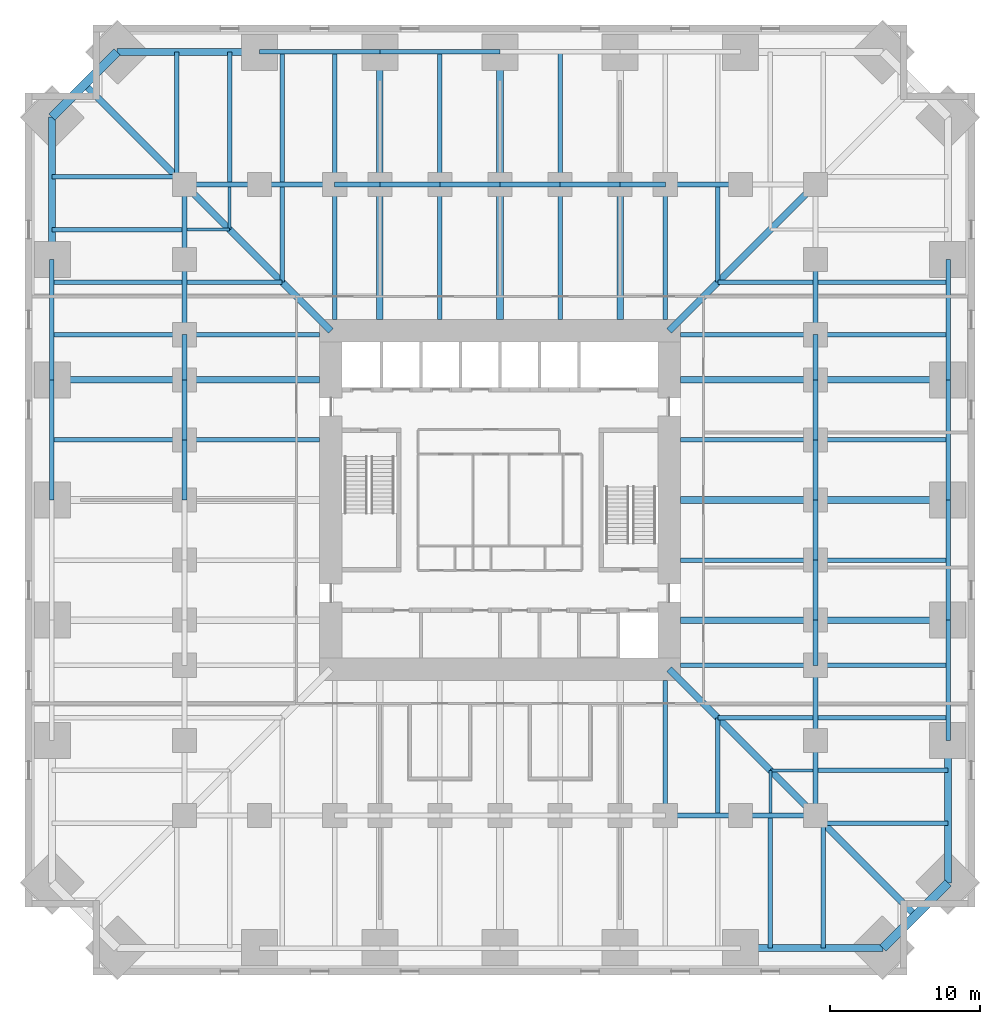
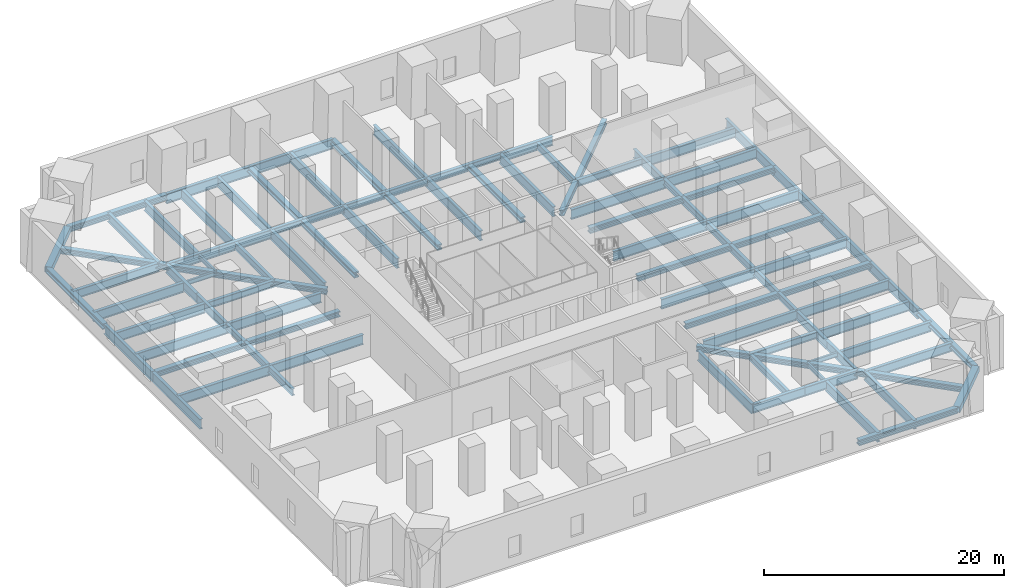
# One storey, part 2 of 8: 99 beams.
"""IFC4 building model written with IfcOpenShell, lengths in metres."""

from ifc_helpers import new_model, si_unit, direction, frame, origin, origin_2d, place, context, subcontext, project, spatial, hollow_rectangle, i_section, extrude, material, material_profile, profile_set, type_object, element, save


model = new_model("IFC4")

# Units and contexts
model_context = context("Model", 3, precision=1e-05, world=origin(), true_north=direction((0.0, 1.0)))
body_context = subcontext(model_context, "Body", "Model", "MODEL_VIEW")
ifc_project = project(units=[si_unit("LENGTHUNIT", "METRE"), si_unit("AREAUNIT", "SQUARE_METRE"), si_unit("VOLUMEUNIT", "CUBIC_METRE"), si_unit("PLANEANGLEUNIT", "RADIAN"), si_unit("MASSUNIT", "GRAM", prefix="KILO")], contexts=[model_context])

# Site, building, storey
site_placement = place(None, origin())
site = spatial("IfcSite", under=ifc_project, at=site_placement, CompositionType="ELEMENT")
building_placement = place(site_placement, origin())
building = spatial("IfcBuilding", under=site, at=building_placement, Name="Peilmerk Tower", CompositionType="ELEMENT")
storey_placement = place(building_placement, frame((0.0, 0.0, 26.5)))
storey = spatial("IfcBuildingStorey", under=building, at=storey_placement, Name="L05", CompositionType="ELEMENT", Elevation=26.5)

# Beams
ifc_material_1 = material(Name="Steel S355", Category="steel")
ifc_material_profile_1 = material_profile(ifc_material_1, i_section(OverallWidth=0.302001953125, OverallDepth=1.008056640625, WebThickness=0.02099609375, FlangeThickness=0.0400390625, at=origin_2d()), Name="HEM 1000")
ifc_profile_set_1 = profile_set([ifc_material_profile_1], Name="Steel S355")
beam_type_1 = type_object("IfcBeamType", Name="B1 HEM 1000 edge beam", PredefinedType="SPANDREL", material=ifc_profile_set_1)
for number, where, z_axis, x_axis, name in (
    (1, (0.0, 29.828125, -0.7041015625), (-1.0, 0.0, 0.0), (0.0, -1.0, 0.0), "Edge beam L05"),
    (2, (-8.0, 29.828125, -0.7041015625), (-1.0, 0.0, 0.0), (0.0, -1.0, 0.0), "Edge beam L05"),
    (3, (29.828125, -16.0, -0.7041015625), (0.0, 1.0, 0.0), (-1.0, 0.0, 0.0), "Edge beam L05"),
    (4, (29.828125, -8.0, -0.7041015625), (0.0, 1.0, 0.0), (-1.0, 0.0, 0.0), "Edge beam L05"),
    (5, (29.828125, 0.0, -0.7041015625), (0.0, 1.0, 0.0), (-1.0, 0.0, 0.0), "Edge beam L05"),
    (6, (29.828125, 8.0, -0.7041015625), (0.0, 1.0, 0.0), (-1.0, 0.0, 0.0), "Edge beam L05"),
    (7, (-29.828125, 16.0, -0.7041015625), (0.0, -1.0, 0.0), (1.0, 0.0, 0.0), "Edge beam L05"),
    (8, (-29.828125, 8.0, -0.7041015625), (0.0, -1.0, 0.0), (1.0, 0.0, 0.0), "Edge beam L05"),
):
    element("IfcBeam", number, at=place(storey_placement, frame(where, z_axis=z_axis, x_axis=x_axis)), inside=storey, type_object=beam_type_1, Name=name, PredefinedType="SPANDREL", context=body_context, shape_type="SweptSolid", body=[
        extrude(i_section(OverallWidth=0.302001953125, OverallDepth=1.008056640625, WebThickness=0.02099609375, FlangeThickness=0.0400390625, at=origin_2d()), origin(), (0.0, 0.0, 1.0), 8.0),
    ])
ifc_material_profile_2 = material_profile(ifc_material_1, i_section(OverallWidth=0.300048828125, OverallDepth=0.989990234375, WebThickness=0.0166015625, FlangeThickness=0.031005859375, at=origin_2d()), Name="HEA 1000")
ifc_profile_set_2 = profile_set([ifc_material_profile_2], Name="Steel S355")
beam_type_2 = type_object("IfcBeamType", Name="B14 HEA 1000 floor girder", PredefinedType="BEAM", material=ifc_profile_set_2)
for number, where, z_axis, x_axis, name in (
    (9, (21.15087890625, 14.5, -0.695068359375), (1.0, 0.0, 0.0), (0.0, 1.0, 0.0), "Floor beam L05"),
    (10, (21.15087890625, -14.5, -0.695068359375), (1.0, 0.0, 0.0), (0.0, 1.0, 0.0), "Floor beam L05"),
    (11, (18.0, -21.15087890625, -0.695068359375), (0.0, -1.0, 0.0), (1.0, 0.0, 0.0), "Floor beam L05"),
    (12, (21.15087890625, -18.0, -0.695068359375), (1.0, 0.0, 0.0), (0.0, 1.0, 0.0), "Floor beam L05"),
    (13, (-14.5, 21.15087890625, -0.695068359375), (0.0, 1.0, 0.0), (-1.0, 0.0, 0.0), "Floor beam L05"),
    (14, (-21.15087890625, 14.5, -0.695068359375), (-1.0, 0.0, 0.0), (0.0, -1.0, 0.0), "Floor beam L05"),
    (15, (-18.0, 21.15087890625, -0.695068359375), (0.0, 1.0, 0.0), (-1.0, 0.0, 0.0), "Floor beam L05"),
    (16, (-21.15087890625, 18.0, -0.695068359375), (-1.0, 0.0, 0.0), (0.0, -1.0, 0.0), "Floor beam L05"),
):
    element("IfcBeam", number, at=place(storey_placement, frame(where, z_axis=z_axis, x_axis=x_axis)), inside=storey, type_object=beam_type_2, Name=name, PredefinedType="BEAM", context=body_context, shape_type="SweptSolid", body=[
        extrude(i_section(OverallWidth=0.300048828125, OverallDepth=0.989990234375, WebThickness=0.0166015625, FlangeThickness=0.031005859375, at=origin_2d()), origin(), (0.0, 0.0, 1.0), 8.67724609375),
    ])
ifc_material_profile_3 = material_profile(ifc_material_1, i_section(OverallWidth=0.300048828125, OverallDepth=0.68994140625, WebThickness=0.014404296875, FlangeThickness=0.027099609375, at=origin_2d()), Name="HEA 700")
ifc_profile_set_3 = profile_set([ifc_material_profile_3], Name="Steel S355")
beam_type_3 = type_object("IfcBeamType", Name="B16 HEA 700 floor beam", PredefinedType="BEAM", material=ifc_profile_set_3)
for number, where, z_axis, x_axis, name in (
    (17, (14.5, 14.5, -0.544921875), (0.0, 1.0, 0.0), (-1.0, 0.0, 0.0), "Floor beam L05"),
    (18, (14.5, 14.5, -0.544921875), (1.0, 0.0, 0.0), (0.0, 1.0, 0.0), "Floor beam L05"),
    (19, (14.5, -14.5, -0.544921875), (0.0, -1.0, 0.0), (1.0, 0.0, 0.0), "Floor beam L05"),
    (20, (14.5, -14.5, -0.544921875), (1.0, 0.0, 0.0), (0.0, 1.0, 0.0), "Floor beam L05"),
    (21, (-14.5, 14.5, -0.544921875), (0.0, 1.0, 0.0), (-1.0, 0.0, 0.0), "Floor beam L05"),
    (22, (-14.5, 14.5, -0.544921875), (-1.0, 0.0, 0.0), (0.0, -1.0, 0.0), "Floor beam L05"),
):
    element("IfcBeam", number, at=place(storey_placement, frame(where, z_axis=z_axis, x_axis=x_axis)), inside=storey, type_object=beam_type_3, Name=name, PredefinedType="BEAM", context=body_context, shape_type="SweptSolid", body=[
        extrude(i_section(OverallWidth=0.300048828125, OverallDepth=0.68994140625, WebThickness=0.014404296875, FlangeThickness=0.027099609375, at=origin_2d()), origin(), (0.0, 0.0, 1.0), 6.34912109375),
    ])
ifc_material_2 = material(Name="Steel S460", Category="steel")
ifc_material_profile_4 = material_profile(ifc_material_2, i_section(OverallWidth=0.4541015625, OverallDepth=0.569091796875, WebThickness=0.077880859375, FlangeThickness=0.125, at=origin_2d()), Name="HD 400x1086")
ifc_profile_set_4 = profile_set([ifc_material_profile_4], Name="Steel S460")
beam_type_4 = type_object("IfcBeamType", Name="B17 HD 400x1086 edge beam", PredefinedType="SPANDREL", material=ifc_profile_set_4)
for number, where, z_axis, x_axis, name in (
    (23, (-16.0, 29.828125, -0.484619140625), (-1.0, 0.0, 0.0), (0.0, -1.0, 0.0), "Edge beam L05"),
    (24, (29.828125, -25.478271484375, -0.484619140625), (0.0, 1.0, 0.0), (-1.0, 0.0, 0.0), "Edge beam L05"),
    (25, (16.0, -29.828125, -0.484619140625), (1.0, 0.0, 0.0), (0.0, 1.0, 0.0), "Edge beam L05"),
    (26, (-29.828125, 25.478271484375, -0.484619140625), (0.0, -1.0, 0.0), (1.0, 0.0, 0.0), "Edge beam L05"),
):
    element("IfcBeam", number, at=place(storey_placement, frame(where, z_axis=z_axis, x_axis=x_axis)), inside=storey, type_object=beam_type_4, Name=name, PredefinedType="SPANDREL", context=body_context, shape_type="SweptSolid", body=[
        extrude(i_section(OverallWidth=0.4541015625, OverallDepth=0.569091796875, WebThickness=0.077880859375, FlangeThickness=0.125, at=origin_2d()), origin(), (0.0, 0.0, 1.0), 9.478271484375),
    ])
ifc_material_profile_5 = material_profile(ifc_material_1, i_section(OverallWidth=0.302001953125, OverallDepth=0.909912109375, WebThickness=0.02099609375, FlangeThickness=0.0400390625, at=origin_2d()), Name="HEM 900")
ifc_profile_set_5 = profile_set([ifc_material_profile_5], Name="Steel S355")
beam_type_5 = type_object("IfcBeamType", Name="B18 HEM 900 ring girder", PredefinedType="BEAM", material=ifc_profile_set_5)
for number, where, z_axis, x_axis, name in (
    (27, (16.0, 21.0, -0.655029296875), (-1.0, 0.0, 0.0), (0.0, -1.0, 0.0), "Ring girder L05"),
    (28, (-11.0, 21.0, -0.655029296875), (-1.0, 0.0, 0.0), (0.0, -1.0, 0.0), "Ring girder L05"),
    (29, (-16.0, 21.0, -0.655029296875), (-1.0, 0.0, 0.0), (0.0, -1.0, 0.0), "Ring girder L05"),
    (30, (21.0, -21.0, -0.655029296875), (0.0, 1.0, 0.0), (-1.0, 0.0, 0.0), "Ring girder L05"),
    (31, (21.0, -16.0, -0.655029296875), (0.0, 1.0, 0.0), (-1.0, 0.0, 0.0), "Ring girder L05"),
    (32, (21.0, 11.0, -0.655029296875), (0.0, 1.0, 0.0), (-1.0, 0.0, 0.0), "Ring girder L05"),
    (33, (11.0, -21.0, -0.655029296875), (1.0, 0.0, 0.0), (0.0, 1.0, 0.0), "Ring girder L05"),
    (34, (16.0, -21.0, -0.655029296875), (1.0, 0.0, 0.0), (0.0, 1.0, 0.0), "Ring girder L05"),
    (35, (-21.0, 21.0, -0.655029296875), (0.0, -1.0, 0.0), (1.0, 0.0, 0.0), "Ring girder L05"),
    (36, (-21.0, 16.0, -0.655029296875), (0.0, -1.0, 0.0), (1.0, 0.0, 0.0), "Ring girder L05"),
):
    element("IfcBeam", number, at=place(storey_placement, frame(where, z_axis=z_axis, x_axis=x_axis)), inside=storey, type_object=beam_type_5, Name=name, PredefinedType="BEAM", context=body_context, shape_type="SweptSolid", body=[
        extrude(i_section(OverallWidth=0.302001953125, OverallDepth=0.909912109375, WebThickness=0.02099609375, FlangeThickness=0.0400390625, at=origin_2d()), origin(), (0.0, 0.0, 1.0), 5.0),
    ])
ifc_material_profile_6 = material_profile(ifc_material_1, i_section(OverallWidth=0.303955078125, OverallDepth=0.716064453125, WebThickness=0.02099609375, FlangeThickness=0.0400390625, at=origin_2d()), Name="HEM 700")
ifc_profile_set_6 = profile_set([ifc_material_profile_6], Name="Steel S355")
beam_type_6 = type_object("IfcBeamType", Name="B19 HEM 700 ring girder", PredefinedType="BEAM", material=ifc_profile_set_6)
for number, where, z_axis, x_axis, name in (
    (37, (8.0, 21.0, -0.55810546875), (-1.0, 0.0, 0.0), (0.0, -1.0, 0.0), "Ring girder L05"),
    (38, (4.0, 21.0, -0.55810546875), (-1.0, 0.0, 0.0), (0.0, -1.0, 0.0), "Ring girder L05"),
    (39, (0.0, 21.0, -0.55810546875), (-1.0, 0.0, 0.0), (0.0, -1.0, 0.0), "Ring girder L05"),
    (40, (-4.0, 21.0, -0.55810546875), (-1.0, 0.0, 0.0), (0.0, -1.0, 0.0), "Ring girder L05"),
    (41, (21.0, -8.0, -0.55810546875), (0.0, 1.0, 0.0), (-1.0, 0.0, 0.0), "Ring girder L05"),
    (42, (21.0, -4.0, -0.55810546875), (0.0, 1.0, 0.0), (-1.0, 0.0, 0.0), "Ring girder L05"),
    (43, (21.0, 0.0, -0.55810546875), (0.0, 1.0, 0.0), (-1.0, 0.0, 0.0), "Ring girder L05"),
    (44, (21.0, 4.0, -0.55810546875), (0.0, 1.0, 0.0), (-1.0, 0.0, 0.0), "Ring girder L05"),
    (45, (-21.0, 8.0, -0.55810546875), (0.0, -1.0, 0.0), (1.0, 0.0, 0.0), "Ring girder L05"),
    (46, (-21.0, 4.0, -0.55810546875), (0.0, -1.0, 0.0), (1.0, 0.0, 0.0), "Ring girder L05"),
):
    element("IfcBeam", number, at=place(storey_placement, frame(where, z_axis=z_axis, x_axis=x_axis)), inside=storey, type_object=beam_type_6, Name=name, PredefinedType="BEAM", context=body_context, shape_type="SweptSolid", body=[
        extrude(i_section(OverallWidth=0.303955078125, OverallDepth=0.716064453125, WebThickness=0.02099609375, FlangeThickness=0.0400390625, at=origin_2d()), origin(), (0.0, 0.0, 1.0), 4.0),
    ])
ifc_material_profile_7 = material_profile(ifc_material_2, hollow_rectangle(XDim=0.60009765625, YDim=0.60009765625, WallThickness=0.06005859375, at=origin_2d()), Name="BOX 600x600x60")
ifc_profile_set_7 = profile_set([ifc_material_profile_7], Name="Steel S460")
beam_type_7 = type_object("IfcBeamType", Name="B20 BOX 600x600x60 notch beam", PredefinedType="SPANDREL", material=ifc_profile_set_7)
for number, where, z_axis, x_axis, name in (
    (47, (29.828125, -25.478271484375, -0.5), (-0.707106781187, -0.707106781187, 0.0), (0.707106781187, -0.707106781187, 0.0), "Notch beam L05"),
    (48, (-29.828125, 25.478271484375, -0.5), (0.707106781187, 0.707106781187, 0.0), (-0.707106781187, 0.707106781187, 0.0), "Notch beam L05"),
):
    element("IfcBeam", number, at=place(storey_placement, frame(where, z_axis=z_axis, x_axis=x_axis)), inside=storey, type_object=beam_type_7, Name=name, PredefinedType="SPANDREL", context=body_context, shape_type="SweptSolid", body=[
        extrude(hollow_rectangle(XDim=0.60009765625, YDim=0.60009765625, WallThickness=0.06005859375, at=origin_2d()), origin(), (0.0, 0.0, 1.0), 6.151611328125),
    ])
ifc_material_profile_8 = material_profile(ifc_material_1, i_section(OverallWidth=0.18994140625, OverallDepth=0.449951171875, WebThickness=0.009521484375, FlangeThickness=0.0146484375, at=origin_2d()), Name="IPE 450")
ifc_profile_set_8 = profile_set([ifc_material_profile_8], Name="Steel S355")
beam_type_8 = type_object("IfcBeamType", Name="B21 IPE 450 floor beam", PredefinedType="BEAM", material=ifc_profile_set_8)
for number, where, z_axis, x_axis, name in (
    (49, (18.0, -18.0, -0.425048828125), (0.0, -1.0, 0.0), (1.0, 0.0, 0.0), "Floor beam L05"),
    (50, (18.0, -18.0, -0.425048828125), (1.0, 0.0, 0.0), (0.0, 1.0, 0.0), "Floor beam L05"),
    (51, (-18.0, 18.0, -0.425048828125), (0.0, 1.0, 0.0), (-1.0, 0.0, 0.0), "Floor beam L05"),
    (52, (-18.0, 18.0, -0.425048828125), (-1.0, 0.0, 0.0), (0.0, -1.0, 0.0), "Floor beam L05"),
):
    element("IfcBeam", number, at=place(storey_placement, frame(where, z_axis=z_axis, x_axis=x_axis)), inside=storey, type_object=beam_type_8, Name=name, PredefinedType="BEAM", context=body_context, shape_type="SweptSolid", body=[
        extrude(i_section(OverallWidth=0.18994140625, OverallDepth=0.449951171875, WebThickness=0.009521484375, FlangeThickness=0.0146484375, at=origin_2d()), origin(), (0.0, 0.0, 1.0), 2.84912109375),
    ])
ifc_material_profile_9 = material_profile(ifc_material_1, i_section(OverallWidth=0.300048828125, OverallDepth=0.889892578125, WebThickness=0.01611328125, FlangeThickness=0.030029296875, at=origin_2d()), Name="HEA 900")
ifc_profile_set_9 = profile_set([ifc_material_profile_9], Name="Steel S355")
beam_type_9 = type_object("IfcBeamType", Name="B4 HEA 900 floor beam", PredefinedType="BEAM", material=ifc_profile_set_9)
for number, where, z_axis, x_axis, name in (
    (53, (21.5, -21.5, -0.64501953125), (0.0, -1.0, 0.0), (1.0, 0.0, 0.0), "Floor beam L05"),
    (54, (21.5, -21.5, -0.64501953125), (1.0, 0.0, 0.0), (0.0, 1.0, 0.0), "Floor beam L05"),
    (55, (-21.5, 21.5, -0.64501953125), (0.0, 1.0, 0.0), (-1.0, 0.0, 0.0), "Floor beam L05"),
    (56, (-21.5, 21.5, -0.64501953125), (-1.0, 0.0, 0.0), (0.0, -1.0, 0.0), "Floor beam L05"),
):
    element("IfcBeam", number, at=place(storey_placement, frame(where, z_axis=z_axis, x_axis=x_axis)), inside=storey, type_object=beam_type_9, Name=name, PredefinedType="BEAM", context=body_context, shape_type="SweptSolid", body=[
        extrude(i_section(OverallWidth=0.300048828125, OverallDepth=0.889892578125, WebThickness=0.01611328125, FlangeThickness=0.030029296875, at=origin_2d()), origin(), (0.0, 0.0, 1.0), 8.328125),
    ])
ifc_material_profile_10 = material_profile(ifc_material_1, i_section(OverallWidth=0.300048828125, OverallDepth=1.0, WebThickness=0.01904296875, FlangeThickness=0.035888671875, at=origin_2d()), Name="HEB 1000")
ifc_profile_set_10 = profile_set([ifc_material_profile_10], Name="Steel S355")
beam_type_10 = type_object("IfcBeamType", Name="B5 HEB 1000 floor girder", PredefinedType="BEAM", material=ifc_profile_set_10)
for number, where, z_axis, x_axis, name in (
    (57, (11.0, 12.0, -0.699951171875), (0.0, 1.0, 0.0), (-1.0, 0.0, 0.0), "Floor beam L05"),
    (58, (4.0, 12.0, -0.699951171875), (0.0, 1.0, 0.0), (-1.0, 0.0, 0.0), "Floor beam L05"),
):
    element("IfcBeam", number, at=place(storey_placement, frame(where, z_axis=z_axis, x_axis=x_axis)), inside=storey, type_object=beam_type_10, Name=name, PredefinedType="BEAM", context=body_context, shape_type="SweptSolid", body=[
        extrude(i_section(OverallWidth=0.300048828125, OverallDepth=1.0, WebThickness=0.01904296875, FlangeThickness=0.035888671875, at=origin_2d()), origin(), (0.0, 0.0, 1.0), 9.0),
    ])
beam_1_placement = place(storey_placement, frame((4.0, 21.0, -0.699951171875), z_axis=(0.0, 1.0, 0.0), x_axis=(-1.0, 0.0, 0.0)))
element("IfcBeam", 59, at=beam_1_placement, inside=storey, type_object=beam_type_10, Name="Floor beam L05", PredefinedType="BEAM", context=body_context, shape_type="SweptSolid", body=[
    extrude(i_section(OverallWidth=0.300048828125, OverallDepth=1.0, WebThickness=0.01904296875, FlangeThickness=0.035888671875, at=origin_2d()), origin(), (0.0, 0.0, 1.0), 8.828125),
])
beam_2_placement = place(storey_placement, frame((-4.0, 12.0, -0.699951171875), z_axis=(0.0, 1.0, 0.0), x_axis=(-1.0, 0.0, 0.0)))
element("IfcBeam", 60, at=beam_2_placement, inside=storey, type_object=beam_type_10, Name="Floor beam L05", PredefinedType="BEAM", context=body_context, shape_type="SweptSolid", body=[
    extrude(i_section(OverallWidth=0.300048828125, OverallDepth=1.0, WebThickness=0.01904296875, FlangeThickness=0.035888671875, at=origin_2d()), origin(), (0.0, 0.0, 1.0), 9.0),
])
beam_3_placement = place(storey_placement, frame((-4.0, 21.0, -0.699951171875), z_axis=(0.0, 1.0, 0.0), x_axis=(-1.0, 0.0, 0.0)))
element("IfcBeam", 61, at=beam_3_placement, inside=storey, type_object=beam_type_10, Name="Floor beam L05", PredefinedType="BEAM", context=body_context, shape_type="SweptSolid", body=[
    extrude(i_section(OverallWidth=0.300048828125, OverallDepth=1.0, WebThickness=0.01904296875, FlangeThickness=0.035888671875, at=origin_2d()), origin(), (0.0, 0.0, 1.0), 8.828125),
])
beam_4_placement = place(storey_placement, frame((-11.0, 12.0, -0.699951171875), z_axis=(0.0, 1.0, 0.0), x_axis=(-1.0, 0.0, 0.0)))
element("IfcBeam", 62, at=beam_4_placement, inside=storey, type_object=beam_type_10, Name="Floor beam L05", PredefinedType="BEAM", context=body_context, shape_type="SweptSolid", body=[
    extrude(i_section(OverallWidth=0.300048828125, OverallDepth=1.0, WebThickness=0.01904296875, FlangeThickness=0.035888671875, at=origin_2d()), origin(), (0.0, 0.0, 1.0), 9.0),
])
beam_5_placement = place(storey_placement, frame((-11.0, 21.0, -0.699951171875), z_axis=(0.0, 1.0, 0.0), x_axis=(-1.0, 0.0, 0.0)))
element("IfcBeam", 63, at=beam_5_placement, inside=storey, type_object=beam_type_10, Name="Floor beam L05", PredefinedType="BEAM", context=body_context, shape_type="SweptSolid", body=[
    extrude(i_section(OverallWidth=0.300048828125, OverallDepth=1.0, WebThickness=0.01904296875, FlangeThickness=0.035888671875, at=origin_2d()), origin(), (0.0, 0.0, 1.0), 8.828125),
])
beam_6_placement = place(storey_placement, frame((12.0, -11.0, -0.699951171875), z_axis=(1.0, 0.0, 0.0), x_axis=(0.0, 1.0, 0.0)))
element("IfcBeam", 64, at=beam_6_placement, inside=storey, type_object=beam_type_10, Name="Floor beam L05", PredefinedType="BEAM", context=body_context, shape_type="SweptSolid", body=[
    extrude(i_section(OverallWidth=0.300048828125, OverallDepth=1.0, WebThickness=0.01904296875, FlangeThickness=0.035888671875, at=origin_2d()), origin(), (0.0, 0.0, 1.0), 9.0),
])
beam_7_placement = place(storey_placement, frame((21.0, -11.0, -0.699951171875), z_axis=(1.0, 0.0, 0.0), x_axis=(0.0, 1.0, 0.0)))
element("IfcBeam", 65, at=beam_7_placement, inside=storey, type_object=beam_type_10, Name="Floor beam L05", PredefinedType="BEAM", context=body_context, shape_type="SweptSolid", body=[
    extrude(i_section(OverallWidth=0.300048828125, OverallDepth=1.0, WebThickness=0.01904296875, FlangeThickness=0.035888671875, at=origin_2d()), origin(), (0.0, 0.0, 1.0), 8.828125),
])
beam_8_placement = place(storey_placement, frame((12.0, -4.0, -0.699951171875), z_axis=(1.0, 0.0, 0.0), x_axis=(0.0, 1.0, 0.0)))
element("IfcBeam", 66, at=beam_8_placement, inside=storey, type_object=beam_type_10, Name="Floor beam L05", PredefinedType="BEAM", context=body_context, shape_type="SweptSolid", body=[
    extrude(i_section(OverallWidth=0.300048828125, OverallDepth=1.0, WebThickness=0.01904296875, FlangeThickness=0.035888671875, at=origin_2d()), origin(), (0.0, 0.0, 1.0), 9.0),
])
beam_9_placement = place(storey_placement, frame((21.0, -4.0, -0.699951171875), z_axis=(1.0, 0.0, 0.0), x_axis=(0.0, 1.0, 0.0)))
element("IfcBeam", 67, at=beam_9_placement, inside=storey, type_object=beam_type_10, Name="Floor beam L05", PredefinedType="BEAM", context=body_context, shape_type="SweptSolid", body=[
    extrude(i_section(OverallWidth=0.300048828125, OverallDepth=1.0, WebThickness=0.01904296875, FlangeThickness=0.035888671875, at=origin_2d()), origin(), (0.0, 0.0, 1.0), 8.828125),
])
beam_10_placement = place(storey_placement, frame((12.0, 4.0, -0.699951171875), z_axis=(1.0, 0.0, 0.0), x_axis=(0.0, 1.0, 0.0)))
element("IfcBeam", 68, at=beam_10_placement, inside=storey, type_object=beam_type_10, Name="Floor beam L05", PredefinedType="BEAM", context=body_context, shape_type="SweptSolid", body=[
    extrude(i_section(OverallWidth=0.300048828125, OverallDepth=1.0, WebThickness=0.01904296875, FlangeThickness=0.035888671875, at=origin_2d()), origin(), (0.0, 0.0, 1.0), 9.0),
])
beam_11_placement = place(storey_placement, frame((21.0, 4.0, -0.699951171875), z_axis=(1.0, 0.0, 0.0), x_axis=(0.0, 1.0, 0.0)))
element("IfcBeam", 69, at=beam_11_placement, inside=storey, type_object=beam_type_10, Name="Floor beam L05", PredefinedType="BEAM", context=body_context, shape_type="SweptSolid", body=[
    extrude(i_section(OverallWidth=0.300048828125, OverallDepth=1.0, WebThickness=0.01904296875, FlangeThickness=0.035888671875, at=origin_2d()), origin(), (0.0, 0.0, 1.0), 8.828125),
])
beam_12_placement = place(storey_placement, frame((12.0, 11.0, -0.699951171875), z_axis=(1.0, 0.0, 0.0), x_axis=(0.0, 1.0, 0.0)))
element("IfcBeam", 70, at=beam_12_placement, inside=storey, type_object=beam_type_10, Name="Floor beam L05", PredefinedType="BEAM", context=body_context, shape_type="SweptSolid", body=[
    extrude(i_section(OverallWidth=0.300048828125, OverallDepth=1.0, WebThickness=0.01904296875, FlangeThickness=0.035888671875, at=origin_2d()), origin(), (0.0, 0.0, 1.0), 9.0),
])
beam_13_placement = place(storey_placement, frame((21.0, 11.0, -0.699951171875), z_axis=(1.0, 0.0, 0.0), x_axis=(0.0, 1.0, 0.0)))
element("IfcBeam", 71, at=beam_13_placement, inside=storey, type_object=beam_type_10, Name="Floor beam L05", PredefinedType="BEAM", context=body_context, shape_type="SweptSolid", body=[
    extrude(i_section(OverallWidth=0.300048828125, OverallDepth=1.0, WebThickness=0.01904296875, FlangeThickness=0.035888671875, at=origin_2d()), origin(), (0.0, 0.0, 1.0), 8.828125),
])
for number, where, z_axis, x_axis, name in (
    (72, (11.0, -12.0, -0.699951171875), (0.0, -1.0, 0.0), (1.0, 0.0, 0.0), "Floor beam L05"),
    (73, (-12.0, 11.0, -0.699951171875), (-1.0, 0.0, 0.0), (0.0, -1.0, 0.0), "Floor beam L05"),
):
    element("IfcBeam", number, at=place(storey_placement, frame(where, z_axis=z_axis, x_axis=x_axis)), inside=storey, type_object=beam_type_10, Name=name, PredefinedType="BEAM", context=body_context, shape_type="SweptSolid", body=[
        extrude(i_section(OverallWidth=0.300048828125, OverallDepth=1.0, WebThickness=0.01904296875, FlangeThickness=0.035888671875, at=origin_2d()), origin(), (0.0, 0.0, 1.0), 9.0),
    ])
beam_14_placement = place(storey_placement, frame((-21.0, 11.0, -0.699951171875), z_axis=(-1.0, 0.0, 0.0), x_axis=(0.0, -1.0, 0.0)))
element("IfcBeam", 74, at=beam_14_placement, inside=storey, type_object=beam_type_10, Name="Floor beam L05", PredefinedType="BEAM", context=body_context, shape_type="SweptSolid", body=[
    extrude(i_section(OverallWidth=0.300048828125, OverallDepth=1.0, WebThickness=0.01904296875, FlangeThickness=0.035888671875, at=origin_2d()), origin(), (0.0, 0.0, 1.0), 8.828125),
])
beam_15_placement = place(storey_placement, frame((-12.0, 4.0, -0.699951171875), z_axis=(-1.0, 0.0, 0.0), x_axis=(0.0, -1.0, 0.0)))
element("IfcBeam", 75, at=beam_15_placement, inside=storey, type_object=beam_type_10, Name="Floor beam L05", PredefinedType="BEAM", context=body_context, shape_type="SweptSolid", body=[
    extrude(i_section(OverallWidth=0.300048828125, OverallDepth=1.0, WebThickness=0.01904296875, FlangeThickness=0.035888671875, at=origin_2d()), origin(), (0.0, 0.0, 1.0), 9.0),
])
beam_16_placement = place(storey_placement, frame((-21.0, 4.0, -0.699951171875), z_axis=(-1.0, 0.0, 0.0), x_axis=(0.0, -1.0, 0.0)))
element("IfcBeam", 76, at=beam_16_placement, inside=storey, type_object=beam_type_10, Name="Floor beam L05", PredefinedType="BEAM", context=body_context, shape_type="SweptSolid", body=[
    extrude(i_section(OverallWidth=0.300048828125, OverallDepth=1.0, WebThickness=0.01904296875, FlangeThickness=0.035888671875, at=origin_2d()), origin(), (0.0, 0.0, 1.0), 8.828125),
])
ifc_material_profile_11 = material_profile(ifc_material_1, i_section(OverallWidth=0.304931640625, OverallDepth=0.6201171875, WebThickness=0.02099609375, FlangeThickness=0.0400390625, at=origin_2d()), Name="HEM 600")
ifc_profile_set_11 = profile_set([ifc_material_profile_11], Name="Steel S355")
beam_type_11 = type_object("IfcBeamType", Name="B6 HEM 600 ring girder", PredefinedType="BEAM", material=ifc_profile_set_11)
for number, where, z_axis, x_axis, name in (
    (77, (11.0, 21.0, -0.510009765625), (-1.0, 0.0, 0.0), (0.0, -1.0, 0.0), "Ring girder L05"),
    (78, (-8.0, 21.0, -0.510009765625), (-1.0, 0.0, 0.0), (0.0, -1.0, 0.0), "Ring girder L05"),
    (79, (21.0, -11.0, -0.510009765625), (0.0, 1.0, 0.0), (-1.0, 0.0, 0.0), "Ring girder L05"),
    (80, (21.0, 8.0, -0.510009765625), (0.0, 1.0, 0.0), (-1.0, 0.0, 0.0), "Ring girder L05"),
    (81, (-21.0, 11.0, -0.510009765625), (0.0, -1.0, 0.0), (1.0, 0.0, 0.0), "Ring girder L05"),
):
    element("IfcBeam", number, at=place(storey_placement, frame(where, z_axis=z_axis, x_axis=x_axis)), inside=storey, type_object=beam_type_11, Name=name, PredefinedType="BEAM", context=body_context, shape_type="SweptSolid", body=[
        extrude(i_section(OverallWidth=0.304931640625, OverallDepth=0.6201171875, WebThickness=0.02099609375, FlangeThickness=0.0400390625, at=origin_2d()), origin(), (0.0, 0.0, 1.0), 3.0),
    ])
ifc_material_profile_12 = material_profile(ifc_material_2, i_section(OverallWidth=0.4541015625, OverallDepth=0.569091796875, WebThickness=0.077880859375, FlangeThickness=0.125, at=origin_2d()), Name="HD 400x1086")
ifc_profile_set_12 = profile_set([ifc_material_profile_12], Name="Steel S460")
beam_type_12 = type_object("IfcBeamType", Name="B9 HD 400x1086 corner girder", PredefinedType="BEAM", material=ifc_profile_set_12)
for number, where, z_axis, x_axis, name in (
    (82, (8.0, 12.0, -0.484619140625), (0.0, 1.0, 0.0), (-1.0, 0.0, 0.0), "Floor girder L05"),
    (83, (0.0, 12.0, -0.484619140625), (0.0, 1.0, 0.0), (-1.0, 0.0, 0.0), "Floor girder L05"),
):
    element("IfcBeam", number, at=place(storey_placement, frame(where, z_axis=z_axis, x_axis=x_axis)), inside=storey, type_object=beam_type_12, Name=name, PredefinedType="BEAM", context=body_context, shape_type="SweptSolid", body=[
        extrude(i_section(OverallWidth=0.4541015625, OverallDepth=0.569091796875, WebThickness=0.077880859375, FlangeThickness=0.125, at=origin_2d()), origin(), (0.0, 0.0, 1.0), 9.0),
    ])
beam_17_placement = place(storey_placement, frame((0.0, 21.0, -0.484619140625), z_axis=(0.0, 1.0, 0.0), x_axis=(-1.0, 0.0, 0.0)))
element("IfcBeam", 84, at=beam_17_placement, inside=storey, type_object=beam_type_12, Name="Floor girder L05", PredefinedType="BEAM", context=body_context, shape_type="SweptSolid", body=[
    extrude(i_section(OverallWidth=0.4541015625, OverallDepth=0.569091796875, WebThickness=0.077880859375, FlangeThickness=0.125, at=origin_2d()), origin(), (0.0, 0.0, 1.0), 8.828125),
])
beam_18_placement = place(storey_placement, frame((-8.0, 12.0, -0.484619140625), z_axis=(0.0, 1.0, 0.0), x_axis=(-1.0, 0.0, 0.0)))
element("IfcBeam", 85, at=beam_18_placement, inside=storey, type_object=beam_type_12, Name="Floor girder L05", PredefinedType="BEAM", context=body_context, shape_type="SweptSolid", body=[
    extrude(i_section(OverallWidth=0.4541015625, OverallDepth=0.569091796875, WebThickness=0.077880859375, FlangeThickness=0.125, at=origin_2d()), origin(), (0.0, 0.0, 1.0), 9.0),
])
beam_19_placement = place(storey_placement, frame((-8.0, 21.0, -0.484619140625), z_axis=(0.0, 1.0, 0.0), x_axis=(-1.0, 0.0, 0.0)))
element("IfcBeam", 86, at=beam_19_placement, inside=storey, type_object=beam_type_12, Name="Floor girder L05", PredefinedType="BEAM", context=body_context, shape_type="SweptSolid", body=[
    extrude(i_section(OverallWidth=0.4541015625, OverallDepth=0.569091796875, WebThickness=0.077880859375, FlangeThickness=0.125, at=origin_2d()), origin(), (0.0, 0.0, 1.0), 8.828125),
])
beam_20_placement = place(storey_placement, frame((12.0, -8.0, -0.484619140625), z_axis=(1.0, 0.0, 0.0), x_axis=(0.0, 1.0, 0.0)))
element("IfcBeam", 87, at=beam_20_placement, inside=storey, type_object=beam_type_12, Name="Floor girder L05", PredefinedType="BEAM", context=body_context, shape_type="SweptSolid", body=[
    extrude(i_section(OverallWidth=0.4541015625, OverallDepth=0.569091796875, WebThickness=0.077880859375, FlangeThickness=0.125, at=origin_2d()), origin(), (0.0, 0.0, 1.0), 9.0),
])
beam_21_placement = place(storey_placement, frame((21.0, -8.0, -0.484619140625), z_axis=(1.0, 0.0, 0.0), x_axis=(0.0, 1.0, 0.0)))
element("IfcBeam", 88, at=beam_21_placement, inside=storey, type_object=beam_type_12, Name="Floor girder L05", PredefinedType="BEAM", context=body_context, shape_type="SweptSolid", body=[
    extrude(i_section(OverallWidth=0.4541015625, OverallDepth=0.569091796875, WebThickness=0.077880859375, FlangeThickness=0.125, at=origin_2d()), origin(), (0.0, 0.0, 1.0), 8.828125),
])
beam_22_placement = place(storey_placement, frame((12.0, 0.0, -0.484619140625), z_axis=(1.0, 0.0, 0.0), x_axis=(0.0, 1.0, 0.0)))
element("IfcBeam", 89, at=beam_22_placement, inside=storey, type_object=beam_type_12, Name="Floor girder L05", PredefinedType="BEAM", context=body_context, shape_type="SweptSolid", body=[
    extrude(i_section(OverallWidth=0.4541015625, OverallDepth=0.569091796875, WebThickness=0.077880859375, FlangeThickness=0.125, at=origin_2d()), origin(), (0.0, 0.0, 1.0), 9.0),
])
beam_23_placement = place(storey_placement, frame((21.0, 0.0, -0.484619140625), z_axis=(1.0, 0.0, 0.0), x_axis=(0.0, 1.0, 0.0)))
element("IfcBeam", 90, at=beam_23_placement, inside=storey, type_object=beam_type_12, Name="Floor girder L05", PredefinedType="BEAM", context=body_context, shape_type="SweptSolid", body=[
    extrude(i_section(OverallWidth=0.4541015625, OverallDepth=0.569091796875, WebThickness=0.077880859375, FlangeThickness=0.125, at=origin_2d()), origin(), (0.0, 0.0, 1.0), 8.828125),
])
beam_24_placement = place(storey_placement, frame((12.0, 8.0, -0.484619140625), z_axis=(1.0, 0.0, 0.0), x_axis=(0.0, 1.0, 0.0)))
element("IfcBeam", 91, at=beam_24_placement, inside=storey, type_object=beam_type_12, Name="Floor girder L05", PredefinedType="BEAM", context=body_context, shape_type="SweptSolid", body=[
    extrude(i_section(OverallWidth=0.4541015625, OverallDepth=0.569091796875, WebThickness=0.077880859375, FlangeThickness=0.125, at=origin_2d()), origin(), (0.0, 0.0, 1.0), 9.0),
])
beam_25_placement = place(storey_placement, frame((21.0, 8.0, -0.484619140625), z_axis=(1.0, 0.0, 0.0), x_axis=(0.0, 1.0, 0.0)))
element("IfcBeam", 92, at=beam_25_placement, inside=storey, type_object=beam_type_12, Name="Floor girder L05", PredefinedType="BEAM", context=body_context, shape_type="SweptSolid", body=[
    extrude(i_section(OverallWidth=0.4541015625, OverallDepth=0.569091796875, WebThickness=0.077880859375, FlangeThickness=0.125, at=origin_2d()), origin(), (0.0, 0.0, 1.0), 8.828125),
])
beam_26_placement = place(storey_placement, frame((-12.0, 8.0, -0.484619140625), z_axis=(-1.0, 0.0, 0.0), x_axis=(0.0, -1.0, 0.0)))
element("IfcBeam", 93, at=beam_26_placement, inside=storey, type_object=beam_type_12, Name="Floor girder L05", PredefinedType="BEAM", context=body_context, shape_type="SweptSolid", body=[
    extrude(i_section(OverallWidth=0.4541015625, OverallDepth=0.569091796875, WebThickness=0.077880859375, FlangeThickness=0.125, at=origin_2d()), origin(), (0.0, 0.0, 1.0), 9.0),
])
beam_27_placement = place(storey_placement, frame((-21.0, 8.0, -0.484619140625), z_axis=(-1.0, 0.0, 0.0), x_axis=(0.0, -1.0, 0.0)))
element("IfcBeam", 94, at=beam_27_placement, inside=storey, type_object=beam_type_12, Name="Floor girder L05", PredefinedType="BEAM", context=body_context, shape_type="SweptSolid", body=[
    extrude(i_section(OverallWidth=0.4541015625, OverallDepth=0.569091796875, WebThickness=0.077880859375, FlangeThickness=0.125, at=origin_2d()), origin(), (0.0, 0.0, 1.0), 8.828125),
])
for number, where, z_axis, x_axis, name in (
    (95, (11.25, 11.25, -0.484619140625), (0.707106781187, 0.707106781187, 0.0), (-0.707106781187, 0.707106781187, 0.0), "Corner girder L05"),
    (96, (11.25, -11.25, -0.484619140625), (0.707106781187, -0.707106781187, 0.0), (0.707106781187, 0.707106781187, 0.0), "Corner girder L05"),
):
    element("IfcBeam", number, at=place(storey_placement, frame(where, z_axis=z_axis, x_axis=x_axis)), inside=storey, type_object=beam_type_12, Name=name, PredefinedType="BEAM", context=body_context, shape_type="SweptSolid", body=[
        extrude(i_section(OverallWidth=0.4541015625, OverallDepth=0.569091796875, WebThickness=0.077880859375, FlangeThickness=0.125, at=origin_2d()), origin(), (0.0, 0.0, 1.0), 13.78857421875),
    ])
beam_28_placement = place(storey_placement, frame((21.0, -21.0, -0.484619140625), z_axis=(0.707106781187, -0.707106781187, 0.0), x_axis=(0.707106781187, 0.707106781187, 0.0)))
element("IfcBeam", 97, at=beam_28_placement, inside=storey, type_object=beam_type_12, Name="Corner girder L05", PredefinedType="BEAM", context=body_context, shape_type="SweptSolid", body=[
    extrude(i_section(OverallWidth=0.4541015625, OverallDepth=0.569091796875, WebThickness=0.077880859375, FlangeThickness=0.125, at=origin_2d()), origin(), (0.0, 0.0, 1.0), 9.4091796875),
])
beam_29_placement = place(storey_placement, frame((-11.25, 11.25, -0.484619140625), z_axis=(-0.707106781187, 0.707106781187, 0.0), x_axis=(-0.707106781187, -0.707106781187, 0.0)))
element("IfcBeam", 98, at=beam_29_placement, inside=storey, type_object=beam_type_12, Name="Corner girder L05", PredefinedType="BEAM", context=body_context, shape_type="SweptSolid", body=[
    extrude(i_section(OverallWidth=0.4541015625, OverallDepth=0.569091796875, WebThickness=0.077880859375, FlangeThickness=0.125, at=origin_2d()), origin(), (0.0, 0.0, 1.0), 13.78857421875),
])
beam_30_placement = place(storey_placement, frame((-21.0, 21.0, -0.484619140625), z_axis=(-0.707106781187, 0.707106781187, 0.0), x_axis=(-0.707106781187, -0.707106781187, 0.0)))
element("IfcBeam", 99, at=beam_30_placement, inside=storey, type_object=beam_type_12, Name="Corner girder L05", PredefinedType="BEAM", context=body_context, shape_type="SweptSolid", body=[
    extrude(i_section(OverallWidth=0.4541015625, OverallDepth=0.569091796875, WebThickness=0.077880859375, FlangeThickness=0.125, at=origin_2d()), origin(), (0.0, 0.0, 1.0), 9.4091796875),
])

save(model, "model.ifc")
